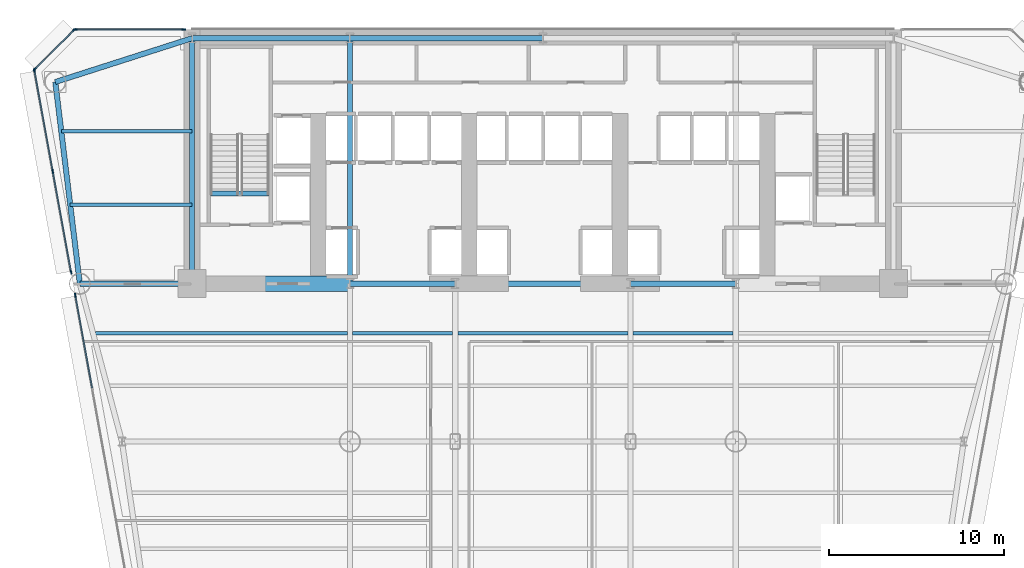
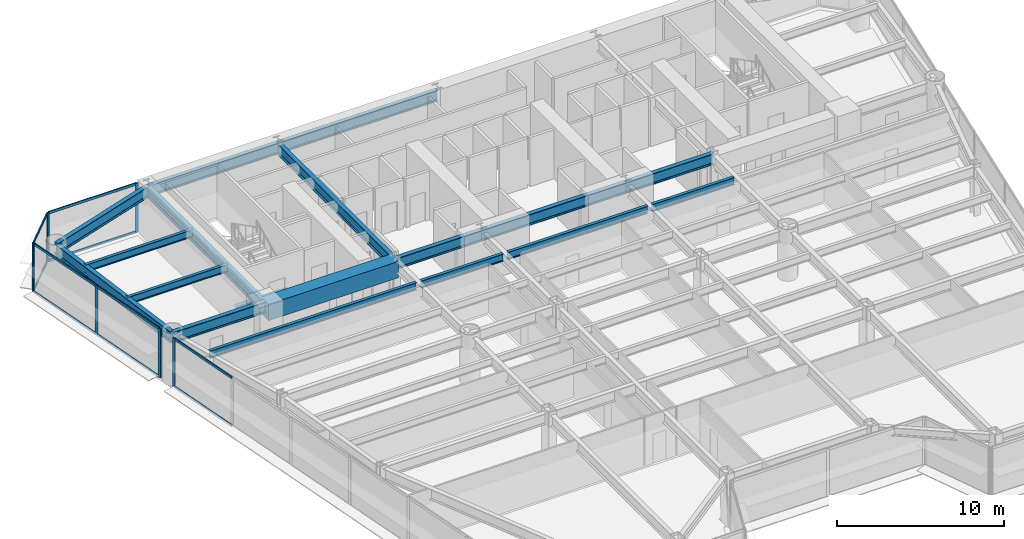
# One storey, part 5 of 14: 18 beams, 18 members, 4 elements without a shape of their own.
"""IFC4 building model written with IfcOpenShell, lengths in metres."""

from ifc_helpers import new_model, si_unit, direction, frame, origin, origin_2d, place, context, subcontext, project, spatial, rectangle, i_section, extrude, source, transform, mapped, material, layer, layer_set, material_profile, profile_set, type_object, element, aggregate, save


model = new_model("IFC4")

# Units and contexts
model_context = context("Model", 3, precision=1e-05, world=origin(), true_north=direction((0.0, 1.0)))
body_context = subcontext(model_context, "Body", "Model", "MODEL_VIEW")
ifc_project = project(units=[si_unit("LENGTHUNIT", "METRE"), si_unit("AREAUNIT", "SQUARE_METRE"), si_unit("VOLUMEUNIT", "CUBIC_METRE"), si_unit("PLANEANGLEUNIT", "RADIAN"), si_unit("MASSUNIT", "GRAM", prefix="KILO")], contexts=[model_context])

# Site, building, storey
site_placement = place(None, origin())
site = spatial("IfcSite", under=ifc_project, at=site_placement, CompositionType="ELEMENT")
building_placement = place(site_placement, origin())
building = spatial("IfcBuilding", under=site, at=building_placement, Name="Vaeldorn Concourse Tower", CompositionType="ELEMENT")
storey_placement = place(building_placement, frame((0.0, 0.0, 41.60009765625)))
storey = spatial("IfcBuildingStorey", under=building, at=storey_placement, Name="L10", CompositionType="ELEMENT", Elevation=41.60009765625)

# Beams
ifc_material_1 = material(Name="Concrete C60/75", Category="concrete")
ifc_material_profile_1 = material_profile(ifc_material_1, rectangle(XDim=0.89990234375, YDim=1.199951171875, at=origin_2d()), Name="RC 900x1200")
ifc_profile_set_1 = profile_set([ifc_material_profile_1], Name="Concrete C60/75")
beam_type_1 = type_object("IfcBeamType", Name="BM-CB-RC900", PredefinedType="BEAM", material=ifc_profile_set_1)
shared_shape_1 = source(origin(), body_context, "Body", "SweptSolid", [
    extrude(rectangle(XDim=0.89990234375, YDim=1.199951171875, at=origin_2d()), origin(), (0.0, 0.0, 1.0), 9.0),
])
beam_1_placement = place(storey_placement, frame((14.0, 36.5, 2.97998046875), z_axis=(1.0, 0.0, 0.0), x_axis=(0.0, 1.0, 0.0)))
element("IfcBeam", 1, at=beam_1_placement, inside=storey, type_object=beam_type_1, Name="Core Coupling Beam L10-1", PredefinedType="BEAM", context=body_context, shape_type="MappedRepresentation", body=[
    mapped(shared_shape_1, transform((0.0, 0.0, 0.0), scale=1.0)),
])
ifc_material_2 = material(Name="Steel S355", Category="steel")
ifc_material_profile_2 = material_profile(ifc_material_2, i_section(OverallWidth=0.300048828125, OverallDepth=0.340087890625, WebThickness=0.011962890625, FlangeThickness=0.021484375, FilletRadius=0.027099609375, at=origin_2d()), Name="HEB 340")
ifc_profile_set_2 = profile_set([ifc_material_profile_2], Name="Steel S355")
beam_type_2 = type_object("IfcBeamType", Name="BM-ST-TRIM", PredefinedType="BEAM", material=ifc_profile_set_2)
shared_shape_2 = source(origin(), body_context, "Body", "SweptSolid", [
    extrude(i_section(OverallWidth=0.300048828125, OverallDepth=0.340087890625, WebThickness=0.011962890625, FlangeThickness=0.021484375, FilletRadius=0.027099609375, at=origin_2d()), origin(), (0.0, 0.0, 1.0), 3.590087890625),
])
beam_2_placement = place(storey_placement, frame((14.929931640625, 41.639892578125, -0.39013671875), z_axis=(1.0, 0.0, 0.0), x_axis=(0.0, 1.0, 0.0)))
element("IfcBeam", 2, at=beam_2_placement, inside=storey, type_object=beam_type_2, Name="Stair Landing Trimmer Beam ST-1 L10", PredefinedType="BEAM", context=body_context, shape_type="MappedRepresentation", body=[
    mapped(shared_shape_2, transform((0.0, 0.0, 0.0), scale=1.0)),
])
ifc_material_profile_3 = material_profile(ifc_material_2, i_section(OverallWidth=0.300048828125, OverallDepth=0.800048828125, WebThickness=0.017578125, FlangeThickness=0.032958984375, FilletRadius=0.030029296875, at=origin_2d()), Name="HEB 800")
ifc_profile_set_3 = profile_set([ifc_material_profile_3], Name="Steel S355")
beam_type_3 = type_object("IfcBeamType", Name="BM-PG-HEB800", PredefinedType="BEAM", material=ifc_profile_set_3)
shared_shape_3 = source(origin(), body_context, "Body", "SweptSolid", [
    extrude(i_section(OverallWidth=0.300048828125, OverallDepth=0.800048828125, WebThickness=0.017578125, FlangeThickness=0.032958984375, FilletRadius=0.030029296875, at=origin_2d()), origin(), (0.0, 0.0, 1.0), 6.0),
])
for number, where, z_axis, x_axis, name in (
    (3, (23.0, 36.5, 3.179931640625), (1.0, 0.0, 0.0), (0.0, 1.0, 0.0), "Beam BM-L10-C-FC2-C-FC3"),
    (4, (39.0, 36.5, 3.179931640625), (1.0, 0.0, 0.0), (0.0, 1.0, 0.0), "Beam BM-L10-C-FC4-C-FC5"),
):
    element("IfcBeam", number, at=place(storey_placement, frame(where, z_axis=z_axis, x_axis=x_axis)), inside=storey, type_object=beam_type_3, Name=name, PredefinedType="BEAM", context=body_context, shape_type="MappedRepresentation", body=[
        mapped(shared_shape_3, transform((0.0, 0.0, 0.0), scale=1.0)),
    ])
shared_shape_4 = source(origin(), body_context, "Body", "SweptSolid", [
    extrude(i_section(OverallWidth=0.300048828125, OverallDepth=0.800048828125, WebThickness=0.017578125, FlangeThickness=0.032958984375, FilletRadius=0.030029296875, at=origin_2d()), origin(), (0.0, 0.0, 1.0), 10.0),
])
beam_3_placement = place(storey_placement, frame((29.0, 36.5, 3.179931640625), z_axis=(1.0, 0.0, 0.0), x_axis=(0.0, 1.0, 0.0)))
element("IfcBeam", 5, at=beam_3_placement, inside=storey, type_object=beam_type_3, Name="Beam BM-L10-C-FC3-C-FC4", PredefinedType="BEAM", context=body_context, shape_type="MappedRepresentation", body=[
    mapped(shared_shape_4, transform((0.0, 0.0, 0.0), scale=1.0)),
])
shared_shape_5 = source(origin(), body_context, "Body", "SweptSolid", [
    extrude(i_section(OverallWidth=0.300048828125, OverallDepth=0.800048828125, WebThickness=0.017578125, FlangeThickness=0.032958984375, FilletRadius=0.030029296875, at=origin_2d()), origin(), (0.0, 0.0, 1.0), 9.0),
])
beam_4_placement = place(storey_placement, frame((14.0, 50.5, 3.179931640625), z_axis=(1.0, 0.0, 0.0), x_axis=(0.0, 1.0, 0.0)))
element("IfcBeam", 6, at=beam_4_placement, inside=storey, type_object=beam_type_3, Name="Beam BM-L10-C-HC1-C-HC2", PredefinedType="BEAM", context=body_context, shape_type="MappedRepresentation", body=[
    mapped(shared_shape_5, transform((0.0, 0.0, 0.0), scale=1.0)),
])
shared_shape_6 = source(origin(), body_context, "Body", "SweptSolid", [
    extrude(i_section(OverallWidth=0.300048828125, OverallDepth=0.800048828125, WebThickness=0.017578125, FlangeThickness=0.032958984375, FilletRadius=0.030029296875, at=origin_2d()), origin(), (0.0, 0.0, 1.0), 11.0),
])
beam_5_placement = place(storey_placement, frame((23.0, 50.5, 3.179931640625), z_axis=(1.0, 0.0, 0.0), x_axis=(0.0, 1.0, 0.0)))
element("IfcBeam", 7, at=beam_5_placement, inside=storey, type_object=beam_type_3, Name="Beam BM-L10-C-HC2-C-HC3", PredefinedType="BEAM", context=body_context, shape_type="MappedRepresentation", body=[
    mapped(shared_shape_6, transform((0.0, 0.0, 0.0), scale=1.0)),
])
shared_shape_7 = source(origin(), body_context, "Body", "SweptSolid", [
    extrude(i_section(OverallWidth=0.300048828125, OverallDepth=0.800048828125, WebThickness=0.017578125, FlangeThickness=0.032958984375, FilletRadius=0.030029296875, at=origin_2d()), origin(), (0.0, 0.0, 1.0), 14.0),
])
for number, where, z_axis, x_axis, name in (
    (8, (14.0, 36.5, 3.179931640625), (0.0, 1.0, 0.0), (-1.0, 0.0, 0.0), "Beam BM-L10-C-FC1-C-HC1"),
    (9, (23.0, 36.5, 3.179931640625), (0.0, 1.0, 0.0), (-1.0, 0.0, 0.0), "Beam BM-L10-C-FC2-C-HC2"),
):
    element("IfcBeam", number, at=place(storey_placement, frame(where, z_axis=z_axis, x_axis=x_axis)), inside=storey, type_object=beam_type_3, Name=name, PredefinedType="BEAM", context=body_context, shape_type="MappedRepresentation", body=[
        mapped(shared_shape_7, transform((0.0, 0.0, 0.0), scale=1.0)),
    ])
shared_shape_8 = source(origin(), body_context, "Body", "SweptSolid", [
    extrude(i_section(OverallWidth=0.300048828125, OverallDepth=0.800048828125, WebThickness=0.017578125, FlangeThickness=0.032958984375, FilletRadius=0.030029296875, at=origin_2d()), origin(), (0.0, 0.0, 1.0), 8.19091796875),
])
beam_6_placement = place(storey_placement, frame((6.199951171875, 48.0, 3.179931640625), z_axis=(0.952282843383, 0.305216949396, 0.0), x_axis=(-0.305216949396, 0.952282843383, 0.0)))
element("IfcBeam", 10, at=beam_6_placement, inside=storey, type_object=beam_type_3, Name="Beam BM-L10-C-NW1-C-HC1", PredefinedType="BEAM", context=body_context, shape_type="MappedRepresentation", body=[
    mapped(shared_shape_8, transform((0.0, 0.0, 0.0), scale=1.0)),
])
shared_shape_9 = source(origin(), body_context, "Body", "SweptSolid", [
    extrude(i_section(OverallWidth=0.300048828125, OverallDepth=0.800048828125, WebThickness=0.017578125, FlangeThickness=0.032958984375, FilletRadius=0.030029296875, at=origin_2d()), origin(), (0.0, 0.0, 1.0), 11.5849609375),
])
beam_7_placement = place(storey_placement, frame((6.199951171875, 48.0, 3.179931640625), z_axis=(0.120859382899, -0.992669637677, 0.0), x_axis=(0.992669637677, 0.120859382899, 0.0)))
element("IfcBeam", 11, at=beam_7_placement, inside=storey, type_object=beam_type_3, Name="Beam BM-L10-C-NW1-C-NW2", PredefinedType="BEAM", context=body_context, shape_type="MappedRepresentation", body=[
    mapped(shared_shape_9, transform((0.0, 0.0, 0.0), scale=1.0)),
])
shared_shape_10 = source(origin(), body_context, "Body", "SweptSolid", [
    extrude(i_section(OverallWidth=0.300048828125, OverallDepth=0.800048828125, WebThickness=0.017578125, FlangeThickness=0.032958984375, FilletRadius=0.030029296875, at=origin_2d()), origin(), (0.0, 0.0, 1.0), 6.39990234375),
])
beam_8_placement = place(storey_placement, frame((7.60009765625, 36.5, 3.179931640625), z_axis=(1.0, 0.0, 0.0), x_axis=(0.0, 1.0, 0.0)))
element("IfcBeam", 12, at=beam_8_placement, inside=storey, type_object=beam_type_3, Name="Beam BM-L10-C-NW2-C-FC1", PredefinedType="BEAM", context=body_context, shape_type="MappedRepresentation", body=[
    mapped(shared_shape_10, transform((0.0, 0.0, 0.0), scale=1.0)),
])
ifc_material_profile_4 = material_profile(ifc_material_2, i_section(OverallWidth=0.2099609375, OverallDepth=0.550048828125, WebThickness=0.010986328125, FlangeThickness=0.01708984375, FilletRadius=0.02392578125, at=origin_2d()), Name="IPE 550")
ifc_profile_set_4 = profile_set([ifc_material_profile_4], Name="Steel S355")
beam_type_4 = type_object("IfcBeamType", Name="BM-JS-IPE550", PredefinedType="JOIST", material=ifc_profile_set_4)
shared_shape_11 = source(origin(), body_context, "Body", "SweptSolid", [
    extrude(i_section(OverallWidth=0.2099609375, OverallDepth=0.550048828125, WebThickness=0.010986328125, FlangeThickness=0.01708984375, FilletRadius=0.02392578125, at=origin_2d()), origin(), (0.0, 0.0, 1.0), 5.7001953125),
])
for number, where, z_axis, x_axis, name in (
    (13, (23.14990234375, 33.679931640625, 3.304931640625), (1.0, 0.0, 0.0), (0.0, 1.0, 0.0), "Beam JS-L10-W2-336"),
    (14, (39.14990234375, 33.679931640625, 3.304931640625), (1.0, 0.0, 0.0), (0.0, 1.0, 0.0), "Beam JS-L10-E2-336"),
):
    element("IfcBeam", number, at=place(storey_placement, frame(where, z_axis=z_axis, x_axis=x_axis)), inside=storey, type_object=beam_type_4, Name=name, PredefinedType="JOIST", context=body_context, shape_type="MappedRepresentation", body=[
        mapped(shared_shape_11, transform((0.0, 0.0, 0.0), scale=1.0)),
    ])
shared_shape_12 = source(origin(), body_context, "Body", "SweptSolid", [
    extrude(i_section(OverallWidth=0.2099609375, OverallDepth=0.550048828125, WebThickness=0.010986328125, FlangeThickness=0.01708984375, FilletRadius=0.02392578125, at=origin_2d()), origin(), (0.0, 0.0, 1.0), 9.7001953125),
])
beam_9_placement = place(storey_placement, frame((29.14990234375, 33.679931640625, 3.304931640625), z_axis=(1.0, 0.0, 0.0), x_axis=(0.0, 1.0, 0.0)))
element("IfcBeam", 15, at=beam_9_placement, inside=storey, type_object=beam_type_4, Name="Beam JS-L10-C-336", PredefinedType="JOIST", context=body_context, shape_type="MappedRepresentation", body=[
    mapped(shared_shape_12, transform((0.0, 0.0, 0.0), scale=1.0)),
])
shared_shape_13 = source(origin(), body_context, "Body", "SweptSolid", [
    extrude(i_section(OverallWidth=0.2099609375, OverallDepth=0.550048828125, WebThickness=0.010986328125, FlangeThickness=0.01708984375, FilletRadius=0.02392578125, at=origin_2d()), origin(), (0.0, 0.0, 1.0), 6.94775390625),
])
beam_10_placement = place(storey_placement, frame((7.05224609375, 41.0, 3.304931640625), z_axis=(1.0, 0.0, 0.0), x_axis=(0.0, 1.0, 0.0)))
element("IfcBeam", 16, at=beam_10_placement, inside=storey, type_object=beam_type_4, Name="Beam JS-L10-NW-410", PredefinedType="JOIST", context=body_context, shape_type="MappedRepresentation", body=[
    mapped(shared_shape_13, transform((0.0, 0.0, 0.0), scale=1.0)),
])
shared_shape_14 = source(origin(), body_context, "Body", "SweptSolid", [
    extrude(i_section(OverallWidth=0.2099609375, OverallDepth=0.550048828125, WebThickness=0.010986328125, FlangeThickness=0.01708984375, FilletRadius=0.02392578125, at=origin_2d()), origin(), (0.0, 0.0, 1.0), 7.458984375),
])
beam_11_placement = place(storey_placement, frame((6.541015625, 45.199951171875, 3.304931640625), z_axis=(1.0, 0.0, 0.0), x_axis=(0.0, 1.0, 0.0)))
element("IfcBeam", 17, at=beam_11_placement, inside=storey, type_object=beam_type_4, Name="Beam JS-L10-NW-452", PredefinedType="JOIST", context=body_context, shape_type="MappedRepresentation", body=[
    mapped(shared_shape_14, transform((0.0, 0.0, 0.0), scale=1.0)),
])
shared_shape_15 = source(origin(), body_context, "Body", "SweptSolid", [
    extrude(i_section(OverallWidth=0.2099609375, OverallDepth=0.550048828125, WebThickness=0.010986328125, FlangeThickness=0.01708984375, FilletRadius=0.02392578125, at=origin_2d()), origin(), (0.0, 0.0, 1.0), 14.34814453125),
])
beam_12_placement = place(storey_placement, frame((8.501953125, 33.679931640625, 3.304931640625), z_axis=(1.0, 0.0, 0.0), x_axis=(0.0, 1.0, 0.0)))
element("IfcBeam", 18, at=beam_12_placement, inside=storey, type_object=beam_type_4, Name="Beam JS-L10-W1-336", PredefinedType="JOIST", context=body_context, shape_type="MappedRepresentation", body=[
    mapped(shared_shape_15, transform((0.0, 0.0, 0.0), scale=1.0)),
])

# Curtain wall, members
ifc_material_3 = material(Name="Anodised Bronze Aluminium", Category="aluminium")
ifc_layer = layer(ifc_material_3, 0.219970703125)
ifc_layer_set = layer_set([ifc_layer], Name="Anodised Bronze Aluminium")
curtain_wall_type = type_object("IfcCurtainWallType", Name="CW-SYS-01", PredefinedType="NOTDEFINED", material=ifc_layer_set)
curtain_wall_1_placement = place(storey_placement, origin())
curtain_wall_1 = element("IfcCurtainWall", 19, at=curtain_wall_1_placement, inside=storey, type_object=curtain_wall_type, Name="Unitised Curtain Wall CW-L10-E09-2", PredefinedType="NOTDEFINED")
ifc_material_profile_5 = material_profile(ifc_material_3, rectangle(XDim=0.074951171875, YDim=0.219970703125, at=origin_2d()), Name="CWM 75x220")
ifc_profile_set_5 = profile_set([ifc_material_profile_5], Name="Anodised Bronze Aluminium")
member_type_1 = type_object("IfcMemberType", Name="CWM-BRONZE-220", PredefinedType="MULLION", material=ifc_profile_set_5)
shared_shape_16 = source(origin(), body_context, "Body", "SweptSolid", [
    extrude(rectangle(XDim=0.074951171875, YDim=0.219970703125, at=origin_2d()), origin(), (0.0, 0.0, 1.0), 3.579833984375),
])
member_1_placement = place(storey_placement, frame((13.517578125, 51.0, 0.0), z_axis=(0.0, 0.0, 1.0), x_axis=(0.0, -1.0, 0.0)))
member_1 = element("IfcMember", 20, at=member_1_placement, type_object=member_type_1, Name="CW-01 mullion 1", PredefinedType="MULLION", context=body_context, shape_type="MappedRepresentation", body=[
    mapped(shared_shape_16, transform((0.0, 0.0, 0.0), scale=1.0)),
])
member_2_placement = place(storey_placement, frame((7.33740234375, 51.0, 0.0), z_axis=(0.0, 0.0, 1.0), x_axis=(0.0, -1.0, 0.0)))
member_2 = element("IfcMember", 21, at=member_2_placement, type_object=member_type_1, Name="CW-01 mullion 2", PredefinedType="MULLION", context=body_context, shape_type="MappedRepresentation", body=[
    mapped(shared_shape_16, transform((0.0, 0.0, 0.0), scale=1.0)),
])

curtain_wall_2_placement = place(storey_placement, origin())
curtain_wall_2 = element("IfcCurtainWall", 22, at=curtain_wall_2_placement, inside=storey, type_object=curtain_wall_type, Name="Unitised Curtain Wall CW-L10-E10-1", PredefinedType="NOTDEFINED")
member_3_placement = place(storey_placement, frame((7.2734375, 50.973388671875, 0.0), z_axis=(0.0, 0.0, 1.0), x_axis=(0.707106781187, -0.707106781187, 0.0)))
member_3 = element("IfcMember", 23, at=member_3_placement, type_object=member_type_1, Name="CW-01 mullion 1", PredefinedType="MULLION", context=body_context, shape_type="MappedRepresentation", body=[
    mapped(shared_shape_16, transform((0.0, 0.0, 0.0), scale=1.0)),
])
member_4_placement = place(storey_placement, frame((5.026611328125, 48.7265625, 0.0), z_axis=(0.0, 0.0, 1.0), x_axis=(0.707106781187, -0.707106781187, 0.0)))
member_4 = element("IfcMember", 24, at=member_4_placement, type_object=member_type_1, Name="CW-01 mullion 2", PredefinedType="MULLION", context=body_context, shape_type="MappedRepresentation", body=[
    mapped(shared_shape_16, transform((0.0, 0.0, 0.0), scale=1.0)),
])

curtain_wall_3_placement = place(storey_placement, origin())
curtain_wall_3 = element("IfcCurtainWall", 25, at=curtain_wall_3_placement, inside=storey, type_object=curtain_wall_type, Name="Unitised Curtain Wall CW-L10-E11-1", PredefinedType="NOTDEFINED")
member_5_placement = place(storey_placement, frame((5.006591796875, 48.6630859375, 0.0), z_axis=(0.0, 0.0, 1.0), x_axis=(0.98385862569, 0.178947491334, 0.0)))
member_5 = element("IfcMember", 26, at=member_5_placement, type_object=member_type_1, Name="CW-01 mullion 1", PredefinedType="MULLION", context=body_context, shape_type="MappedRepresentation", body=[
    mapped(shared_shape_16, transform((0.0, 0.0, 0.0), scale=1.0)),
])
member_6_placement = place(storey_placement, frame((6.05322265625, 42.90966796875, 0.0), z_axis=(0.0, 0.0, 1.0), x_axis=(0.98385862569, 0.178947491334, 0.0)))
member_6 = element("IfcMember", 27, at=member_6_placement, type_object=member_type_1, Name="CW-01 mullion 2", PredefinedType="MULLION", context=body_context, shape_type="MappedRepresentation", body=[
    mapped(shared_shape_16, transform((0.0, 0.0, 0.0), scale=1.0)),
])
member_7_placement = place(storey_placement, frame((7.099609375, 37.156494140625, 0.0), z_axis=(0.0, 0.0, 1.0), x_axis=(0.98385862569, 0.178947491334, 0.0)))
member_7 = element("IfcMember", 28, at=member_7_placement, type_object=member_type_1, Name="CW-01 mullion 3", PredefinedType="MULLION", context=body_context, shape_type="MappedRepresentation", body=[
    mapped(shared_shape_16, transform((0.0, 0.0, 0.0), scale=1.0)),
])

# Curtain wall, member
curtain_wall_4_placement = place(storey_placement, origin())
curtain_wall_4 = element("IfcCurtainWall", 29, at=curtain_wall_4_placement, inside=storey, type_object=curtain_wall_type, Name="Unitised Curtain Wall CW-L10-E11-2", PredefinedType="NOTDEFINED")
member_8_placement = place(storey_placement, frame((7.33837890625, 35.843505859375, 0.0), z_axis=(0.0, 0.0, 1.0), x_axis=(0.983859281973, 0.178943883036, 0.0)))
member_8 = element("IfcMember", 30, at=member_8_placement, type_object=member_type_1, Name="CW-01 mullion 1", PredefinedType="MULLION", context=body_context, shape_type="MappedRepresentation", body=[
    mapped(shared_shape_16, transform((0.0, 0.0, 0.0), scale=1.0)),
])

# Member
ifc_material_profile_6 = material_profile(ifc_material_3, rectangle(XDim=0.074951171875, YDim=0.179931640625, at=origin_2d()), Name="CWT 75x180")
ifc_profile_set_6 = profile_set([ifc_material_profile_6], Name="Anodised Bronze Aluminium")
member_type_2 = type_object("IfcMemberType", Name="CWT-BRONZE-180", PredefinedType="USERDEFINED", material=ifc_profile_set_6)
shared_shape_17 = source(origin(), body_context, "Body", "SweptSolid", [
    extrude(rectangle(XDim=0.074951171875, YDim=0.179931640625, at=origin_2d()), origin(), (0.0, 0.0, 1.0), 3.10302734375),
])
member_9_placement = place(storey_placement, frame((7.2470703125, 50.947021484375, 0.037353515625), z_axis=(-0.707106781187, -0.707106781187, 0.0), x_axis=(0.707106781187, -0.707106781187, 0.0)))
member_9 = element("IfcMember", 31, at=member_9_placement, type_object=member_type_2, Name="CW-01 transom 1.1", ObjectType="TRANSOM", PredefinedType="USERDEFINED", context=body_context, shape_type="MappedRepresentation", body=[
    mapped(shared_shape_17, transform((0.0, 0.0, 0.0), scale=1.0)),
])

member_10_placement = place(storey_placement, frame((7.2470703125, 50.947021484375, 3.54248046875), z_axis=(-0.707106781187, -0.707106781187, 0.0), x_axis=(0.707106781187, -0.707106781187, 0.0)))
member_10 = element("IfcMember", 32, at=member_10_placement, type_object=member_type_2, Name="CW-01 transom 1.2", ObjectType="TRANSOM", PredefinedType="USERDEFINED", context=body_context, shape_type="MappedRepresentation", body=[
    mapped(shared_shape_17, transform((0.0, 0.0, 0.0), scale=1.0)),
])

aggregate(curtain_wall_2, [member_3, member_4, member_9, member_10])

shared_shape_18 = source(origin(), body_context, "Body", "SweptSolid", [
    extrude(rectangle(XDim=0.074951171875, YDim=0.179931640625, at=origin_2d()), origin(), (0.0, 0.0, 1.0), 6.10498046875),
])
member_11_placement = place(storey_placement, frame((13.47998046875, 51.0, 0.037353515625), z_axis=(-1.0, 0.0, 0.0), x_axis=(0.0, -1.0, 0.0)))
member_11 = element("IfcMember", 33, at=member_11_placement, type_object=member_type_2, Name="CW-01 transom 1.1", ObjectType="TRANSOM", PredefinedType="USERDEFINED", context=body_context, shape_type="MappedRepresentation", body=[
    mapped(shared_shape_18, transform((0.0, 0.0, 0.0), scale=1.0)),
])

member_12_placement = place(storey_placement, frame((13.47998046875, 51.0, 3.54248046875), z_axis=(-1.0, 0.0, 0.0), x_axis=(0.0, -1.0, 0.0)))
member_12 = element("IfcMember", 34, at=member_12_placement, type_object=member_type_2, Name="CW-01 transom 1.2", ObjectType="TRANSOM", PredefinedType="USERDEFINED", context=body_context, shape_type="MappedRepresentation", body=[
    mapped(shared_shape_18, transform((0.0, 0.0, 0.0), scale=1.0)),
])

aggregate(curtain_wall_1, [member_1, member_2, member_11, member_12])

shared_shape_19 = source(origin(), body_context, "Body", "SweptSolid", [
    extrude(rectangle(XDim=0.074951171875, YDim=0.179931640625, at=origin_2d()), origin(), (0.0, 0.0, 1.0), 5.772705078125),
])
member_13_placement = place(storey_placement, frame((6.059814453125, 42.872802734375, 0.037353515625), z_axis=(0.178941264541, -0.98385975822, 0.0), x_axis=(0.98385975822, 0.178941264541, 0.0)))
member_13 = element("IfcMember", 35, at=member_13_placement, type_object=member_type_2, Name="CW-01 transom 2.1", ObjectType="TRANSOM", PredefinedType="USERDEFINED", context=body_context, shape_type="MappedRepresentation", body=[
    mapped(shared_shape_19, transform((0.0, 0.0, 0.0), scale=1.0)),
])

member_14_placement = place(storey_placement, frame((6.059814453125, 42.872802734375, 3.54248046875), z_axis=(0.178941264541, -0.98385975822, 0.0), x_axis=(0.98385975822, 0.178941264541, 0.0)))
member_14 = element("IfcMember", 36, at=member_14_placement, type_object=member_type_2, Name="CW-01 transom 2.2", ObjectType="TRANSOM", PredefinedType="USERDEFINED", context=body_context, shape_type="MappedRepresentation", body=[
    mapped(shared_shape_19, transform((0.0, 0.0, 0.0), scale=1.0)),
])

shared_shape_20 = source(origin(), body_context, "Body", "SweptSolid", [
    extrude(rectangle(XDim=0.074951171875, YDim=0.179931640625, at=origin_2d()), origin(), (0.0, 0.0, 1.0), 5.3330078125),
])
member_15_placement = place(storey_placement, frame((7.344970703125, 35.806640625, 0.037353515625), z_axis=(0.17895392461, -0.983857455563, 0.0), x_axis=(0.983857455563, 0.17895392461, 0.0)))
member_15 = element("IfcMember", 37, at=member_15_placement, type_object=member_type_2, Name="CW-01 transom 1.1", ObjectType="TRANSOM", PredefinedType="USERDEFINED", context=body_context, shape_type="MappedRepresentation", body=[
    mapped(shared_shape_20, transform((0.0, 0.0, 0.0), scale=1.0)),
])

member_16_placement = place(storey_placement, frame((7.344970703125, 35.806640625, 3.54248046875), z_axis=(0.17895392461, -0.983857455563, 0.0), x_axis=(0.983857455563, 0.17895392461, 0.0)))
member_16 = element("IfcMember", 38, at=member_16_placement, type_object=member_type_2, Name="CW-01 transom 1.2", ObjectType="TRANSOM", PredefinedType="USERDEFINED", context=body_context, shape_type="MappedRepresentation", body=[
    mapped(shared_shape_20, transform((0.0, 0.0, 0.0), scale=1.0)),
])

aggregate(curtain_wall_4, [member_8, member_15, member_16])

shared_shape_21 = source(origin(), body_context, "Body", "SweptSolid", [
    extrude(rectangle(XDim=0.074951171875, YDim=0.179931640625, at=origin_2d()), origin(), (0.0, 0.0, 1.0), 5.77294921875),
])
member_17_placement = place(storey_placement, frame((5.013427734375, 48.626220703125, 0.037353515625), z_axis=(0.178933819049, -0.983861112353, 0.0), x_axis=(0.983861112353, 0.178933819049, 0.0)))
member_17 = element("IfcMember", 39, at=member_17_placement, type_object=member_type_2, Name="CW-01 transom 1.1", ObjectType="TRANSOM", PredefinedType="USERDEFINED", context=body_context, shape_type="MappedRepresentation", body=[
    mapped(shared_shape_21, transform((0.0, 0.0, 0.0), scale=1.0)),
])

member_18_placement = place(storey_placement, frame((5.013427734375, 48.626220703125, 3.54248046875), z_axis=(0.178933819049, -0.983861112353, 0.0), x_axis=(0.983861112353, 0.178933819049, 0.0)))
member_18 = element("IfcMember", 40, at=member_18_placement, type_object=member_type_2, Name="CW-01 transom 1.2", ObjectType="TRANSOM", PredefinedType="USERDEFINED", context=body_context, shape_type="MappedRepresentation", body=[
    mapped(shared_shape_21, transform((0.0, 0.0, 0.0), scale=1.0)),
])

aggregate(curtain_wall_3, [member_5, member_6, member_7, member_17, member_18, member_13, member_14])

save(model, "model.ifc")
